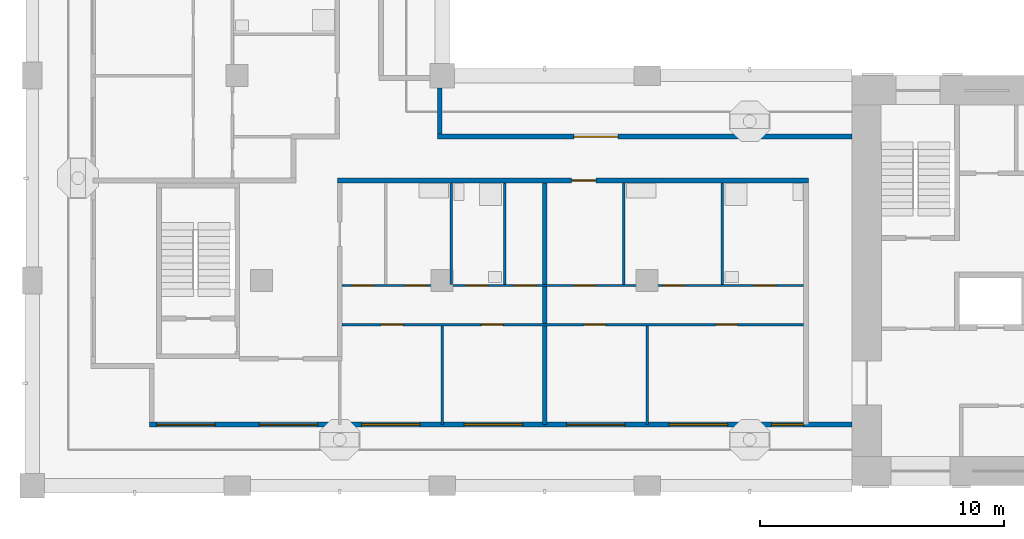
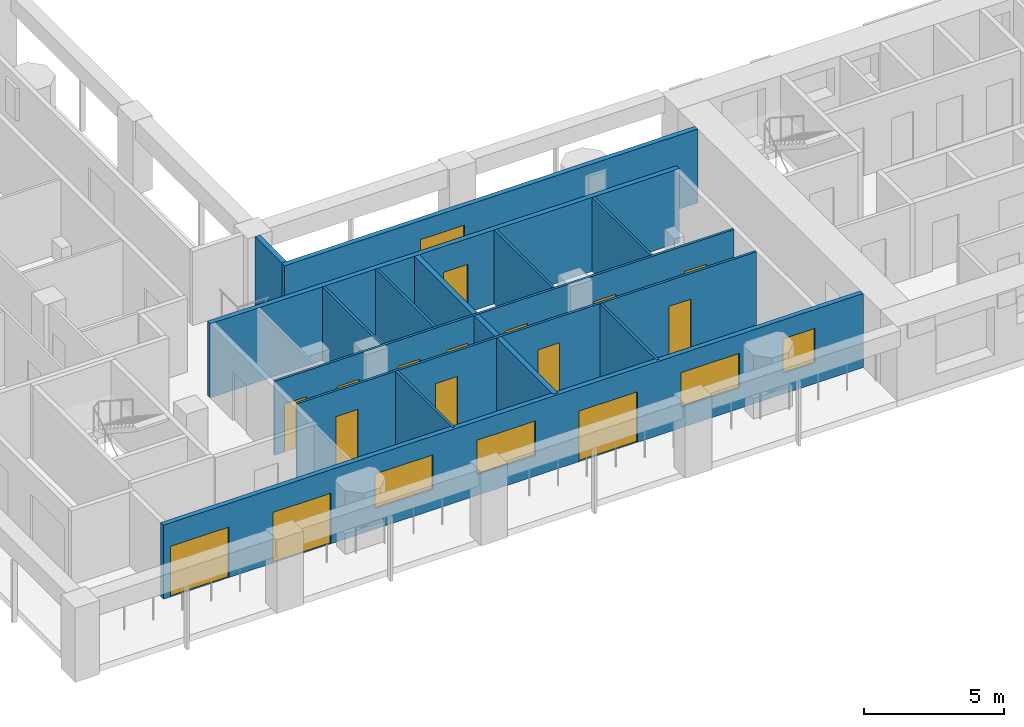
# One storey, part 2 of 11: 16 doors, 13 walls, 4 windows, 20 openings.
"""IFC4 building model written with IfcOpenShell, lengths in metres."""

from ifc_helpers import new_model, si_unit, direction, frame, frame_2d, origin, place, context, subcontext, project, spatial, rectangle, extrude, material, layer, layer_set, type_object, element, fill, save


model = new_model("IFC4")

# Units and contexts
model_context = context("Model", 3, precision=1e-05, world=origin(), true_north=direction((0.0, 1.0)))
body_context = subcontext(model_context, "Body", "Model", "MODEL_VIEW")
ifc_project = project(units=[si_unit("LENGTHUNIT", "METRE"), si_unit("AREAUNIT", "SQUARE_METRE"), si_unit("VOLUMEUNIT", "CUBIC_METRE"), si_unit("PLANEANGLEUNIT", "RADIAN"), si_unit("MASSUNIT", "GRAM", prefix="KILO")], contexts=[model_context])

# Site, building, storey
site_placement = place(None, origin())
site = spatial("IfcSite", under=ifc_project, at=site_placement, CompositionType="ELEMENT")
building_placement = place(site_placement, origin())
building = spatial("IfcBuilding", under=site, at=building_placement, Name="Vermilion Gate Residences", CompositionType="ELEMENT")
storey_placement = place(building_placement, frame((0.0, 0.0, 259.699951171875)))
storey = spatial("IfcBuildingStorey", under=building, at=storey_placement, Name="L68", CompositionType="ELEMENT", Elevation=259.699951171875)

# Wall, openings, doors, windows
ifc_material_1 = material(Name="Insulated steel stud wall with terracotta rainscreen", Category="masonry")
ifc_layer_1 = layer(ifc_material_1, 0.199951171875)
ifc_layer_set_1 = layer_set([ifc_layer_1], Name="EXTERNAL WALL 200 TERRACOTTA RAINSCREEN")
wall_type_1 = type_object("IfcWallType", Name="EXTERNAL WALL 200 TERRACOTTA RAINSCREEN", PredefinedType="SOLIDWALL", material=ifc_layer_set_1)
wall_1_placement = place(storey_placement, frame((13.199951171875, 10.89990234375, 0.0), z_axis=(0.0, 0.0, 1.0), x_axis=(1.0, 0.0, 0.0)))
wall_1 = element("IfcWall", 1, at=wall_1_placement, inside=storey, type_object=wall_type_1, Name="External wall", PredefinedType="SOLIDWALL", context=body_context, shape_type="SweptSolid", body=[
    extrude(rectangle(XDim=28.800048828125, YDim=0.199951171875, at=frame_2d((14.39990234375, 0.0))), origin(), (0.0, 0.0, 1.0), 3.219970703125),
])
opening_1_placement = place(wall_1_placement, frame((0.300048828125, 0.0, 0.0)))
opening_1 = element("IfcOpeningElement", 2, at=opening_1_placement, cuts=wall_1, Name="Opening DE68008", PredefinedType="OPENING", context=body_context, shape_type="SweptSolid", body=[
    extrude(rectangle(XDim=2.39990234375, YDim=2.199951171875, at=frame_2d((1.199951171875, 1.10009765625))), frame((0.0, 0.10986328125, 0.0), z_axis=(0.0, -1.0, 0.0), x_axis=(1.0, 0.0, 0.0)), (0.0, 0.0, 1.0), 0.219970703125),
])
opening_2_placement = place(wall_1_placement, frame((4.5, 0.0, 0.0)))
opening_2 = element("IfcOpeningElement", 3, at=opening_2_placement, cuts=wall_1, Name="Opening DE68009", PredefinedType="OPENING", context=body_context, shape_type="SweptSolid", body=[
    extrude(rectangle(XDim=2.39990234375, YDim=2.199951171875, at=frame_2d((1.199951171875, 1.10009765625))), frame((0.0, 0.10986328125, 0.0), z_axis=(0.0, -1.0, 0.0), x_axis=(1.0, 0.0, 0.0)), (0.0, 0.0, 1.0), 0.219970703125),
])
opening_3_placement = place(wall_1_placement, frame((8.699951171875, 0.0, 0.89990234375)))
opening_3 = element("IfcOpeningElement", 4, at=opening_3_placement, cuts=wall_1, Name="Opening WE68010", PredefinedType="OPENING", context=body_context, shape_type="SweptSolid", body=[
    extrude(rectangle(XDim=2.39990234375, YDim=1.5, at=frame_2d((1.199951171875, 0.75))), frame((0.0, 0.10986328125, 0.0), z_axis=(0.0, -1.0, 0.0), x_axis=(1.0, 0.0, 0.0)), (0.0, 0.0, 1.0), 0.219970703125),
])
opening_4_placement = place(wall_1_placement, frame((12.89990234375, 0.0, 0.89990234375)))
opening_4 = element("IfcOpeningElement", 5, at=opening_4_placement, cuts=wall_1, Name="Opening WE68011", PredefinedType="OPENING", context=body_context, shape_type="SweptSolid", body=[
    extrude(rectangle(XDim=2.39990234375, YDim=1.5, at=frame_2d((1.199951171875, 0.75))), frame((0.0, 0.10986328125, 0.0), z_axis=(0.0, -1.0, 0.0), x_axis=(1.0, 0.0, 0.0)), (0.0, 0.0, 1.0), 0.219970703125),
])
opening_5_placement = place(wall_1_placement, frame((17.10009765625, 0.0, 0.0)))
opening_5 = element("IfcOpeningElement", 6, at=opening_5_placement, cuts=wall_1, Name="Opening DE68012", PredefinedType="OPENING", context=body_context, shape_type="SweptSolid", body=[
    extrude(rectangle(XDim=2.39990234375, YDim=2.199951171875, at=frame_2d((1.199951171875, 1.10009765625))), frame((0.0, 0.10986328125, 0.0), z_axis=(0.0, -1.0, 0.0), x_axis=(1.0, 0.0, 0.0)), (0.0, 0.0, 1.0), 0.219970703125),
])
opening_6_placement = place(wall_1_placement, frame((21.300048828125, 0.0, 0.89990234375)))
opening_6 = element("IfcOpeningElement", 7, at=opening_6_placement, cuts=wall_1, Name="Opening WE68013", PredefinedType="OPENING", context=body_context, shape_type="SweptSolid", body=[
    extrude(rectangle(XDim=2.39990234375, YDim=1.5, at=frame_2d((1.199951171875, 0.75))), frame((0.0, 0.10986328125, 0.0), z_axis=(0.0, -1.0, 0.0), x_axis=(1.0, 0.0, 0.0)), (0.0, 0.0, 1.0), 0.219970703125),
])
opening_7_placement = place(wall_1_placement, frame((25.5, 0.0, 0.89990234375)))
opening_7 = element("IfcOpeningElement", 8, at=opening_7_placement, cuts=wall_1, Name="Opening WE68014", PredefinedType="OPENING", context=body_context, shape_type="SweptSolid", body=[
    extrude(rectangle(XDim=1.300048828125, YDim=1.5, at=frame_2d((0.64990234375, 0.75))), frame((0.0, 0.10986328125, 0.0), z_axis=(0.0, -1.0, 0.0), x_axis=(1.0, 0.0, 0.0)), (0.0, 0.0, 1.0), 0.219970703125),
])
ifc_material_2 = material(Name="Aluminium and clear glass", Category="aluminium")
door_type_1 = type_object("IfcDoorType", Name="SLIDING GLAZED DOOR 2400 X 2200", OperationType="DOUBLE_DOOR_SLIDING", PredefinedType="DOOR", material=ifc_material_2)
door_1_placement = place(opening_1_placement, origin())
door_1 = element("IfcDoor", 9, at=door_1_placement, inside=storey, type_object=door_type_1, Name="Loggia sliding door", OperationType="DOUBLE_DOOR_SLIDING", OverallHeight=2.199951171875, OverallWidth=2.39990234375, PredefinedType="DOOR", context=body_context, shape_type="SweptSolid", body=[
    extrude(rectangle(XDim=2.39990234375, YDim=2.199951171875, at=frame_2d((1.199951171875, 1.10009765625))), frame((0.0, 0.02490234375, 0.0), z_axis=(0.0, -1.0, 0.0), x_axis=(1.0, 0.0, 0.0)), (0.0, 0.0, 1.0), 0.050048828125),
])
fill(opening_1, door_1)
door_2_placement = place(opening_2_placement, origin())
door_2 = element("IfcDoor", 10, at=door_2_placement, inside=storey, type_object=door_type_1, Name="Loggia sliding door", OperationType="DOUBLE_DOOR_SLIDING", OverallHeight=2.199951171875, OverallWidth=2.39990234375, PredefinedType="DOOR", context=body_context, shape_type="SweptSolid", body=[
    extrude(rectangle(XDim=2.39990234375, YDim=2.199951171875, at=frame_2d((1.199951171875, 1.10009765625))), frame((0.0, 0.02490234375, 0.0), z_axis=(0.0, -1.0, 0.0), x_axis=(1.0, 0.0, 0.0)), (0.0, 0.0, 1.0), 0.050048828125),
])
fill(opening_2, door_2)
door_3_placement = place(opening_5_placement, origin())
door_3 = element("IfcDoor", 11, at=door_3_placement, inside=storey, type_object=door_type_1, Name="Loggia sliding door", OperationType="DOUBLE_DOOR_SLIDING", OverallHeight=2.199951171875, OverallWidth=2.39990234375, PredefinedType="DOOR", context=body_context, shape_type="SweptSolid", body=[
    extrude(rectangle(XDim=2.39990234375, YDim=2.199951171875, at=frame_2d((1.199951171875, 1.10009765625))), frame((0.0, 0.02490234375, 0.0), z_axis=(0.0, -1.0, 0.0), x_axis=(1.0, 0.0, 0.0)), (0.0, 0.0, 1.0), 0.050048828125),
])
fill(opening_5, door_3)
ifc_material_3 = material(Name="Aluminium and clear glass", Category="aluminium")
window_type_1 = type_object("IfcWindowType", Name="WINDOW 1300 X 1500", PartitioningType="SINGLE_PANEL", PredefinedType="WINDOW", material=ifc_material_3)
window_1_placement = place(opening_7_placement, origin())
window_1 = element("IfcWindow", 12, at=window_1_placement, inside=storey, type_object=window_type_1, Name="Window", OverallHeight=1.5, OverallWidth=1.300048828125, PartitioningType="SINGLE_PANEL", PredefinedType="WINDOW", context=body_context, shape_type="SweptSolid", body=[
    extrude(rectangle(XDim=1.300048828125, YDim=1.5, at=frame_2d((0.64990234375, 0.75))), frame((0.0, 0.030029296875, 0.0), z_axis=(0.0, -1.0, 0.0), x_axis=(1.0, 0.0, 0.0)), (0.0, 0.0, 1.0), 0.06005859375),
])
fill(opening_7, window_1)
ifc_material_4 = material(Name="Aluminium and clear glass", Category="aluminium")
window_type_2 = type_object("IfcWindowType", Name="WINDOW 2400 X 1500", PartitioningType="SINGLE_PANEL", PredefinedType="WINDOW", material=ifc_material_4)
window_2_placement = place(opening_3_placement, origin())
window_2 = element("IfcWindow", 13, at=window_2_placement, inside=storey, type_object=window_type_2, Name="Window", OverallHeight=1.5, OverallWidth=2.39990234375, PartitioningType="SINGLE_PANEL", PredefinedType="WINDOW", context=body_context, shape_type="SweptSolid", body=[
    extrude(rectangle(XDim=2.39990234375, YDim=1.5, at=frame_2d((1.199951171875, 0.75))), frame((0.0, 0.030029296875, 0.0), z_axis=(0.0, -1.0, 0.0), x_axis=(1.0, 0.0, 0.0)), (0.0, 0.0, 1.0), 0.06005859375),
])
fill(opening_3, window_2)
window_3_placement = place(opening_4_placement, origin())
window_3 = element("IfcWindow", 14, at=window_3_placement, inside=storey, type_object=window_type_2, Name="Window", OverallHeight=1.5, OverallWidth=2.39990234375, PartitioningType="SINGLE_PANEL", PredefinedType="WINDOW", context=body_context, shape_type="SweptSolid", body=[
    extrude(rectangle(XDim=2.39990234375, YDim=1.5, at=frame_2d((1.199951171875, 0.75))), frame((0.0, 0.030029296875, 0.0), z_axis=(0.0, -1.0, 0.0), x_axis=(1.0, 0.0, 0.0)), (0.0, 0.0, 1.0), 0.06005859375),
])
fill(opening_4, window_3)
window_4_placement = place(opening_6_placement, origin())
window_4 = element("IfcWindow", 15, at=window_4_placement, inside=storey, type_object=window_type_2, Name="Window", OverallHeight=1.5, OverallWidth=2.39990234375, PartitioningType="SINGLE_PANEL", PredefinedType="WINDOW", context=body_context, shape_type="SweptSolid", body=[
    extrude(rectangle(XDim=2.39990234375, YDim=1.5, at=frame_2d((1.199951171875, 0.75))), frame((0.0, 0.030029296875, 0.0), z_axis=(0.0, -1.0, 0.0), x_axis=(1.0, 0.0, 0.0)), (0.0, 0.0, 1.0), 0.06005859375),
])
fill(opening_6, window_4)

# Wall, opening, door
wall_2_placement = place(storey_placement, frame((42.0, 22.699951171875, 0.0), z_axis=(0.0, 0.0, 1.0), x_axis=(-1.0, 0.0, 0.0)))
wall_2 = element("IfcWall", 16, at=wall_2_placement, inside=storey, type_object=wall_type_1, Name="External wall", PredefinedType="SOLIDWALL", context=body_context, shape_type="SweptSolid", body=[
    extrude(rectangle(XDim=17.0, YDim=0.199951171875, at=frame_2d((8.5, 0.0))), origin(), (0.0, 0.0, 1.0), 3.219970703125),
])
opening_8_placement = place(wall_2_placement, frame((9.60009765625, 0.0, 0.0)))
opening_8 = element("IfcOpeningElement", 17, at=opening_8_placement, cuts=wall_2, Name="Opening DE68015", PredefinedType="OPENING", context=body_context, shape_type="SweptSolid", body=[
    extrude(rectangle(XDim=1.800048828125, YDim=2.39990234375, at=frame_2d((0.89990234375, 1.199951171875))), frame((0.0, 0.10986328125, 0.0), z_axis=(0.0, -1.0, 0.0), x_axis=(1.0, 0.0, 0.0)), (0.0, 0.0, 1.0), 0.219970703125),
])
ifc_material_5 = material(Name="Aluminium and clear glass", Category="aluminium")
door_type_2 = type_object("IfcDoorType", Name="GLAZED EXTERNAL DOOR 1800 X 2400", OperationType="DOUBLE_DOOR_SINGLE_SWING", PredefinedType="DOOR", material=ifc_material_5)
door_4_placement = place(opening_8_placement, frame((1.800048828125, 0.0, 0.0), z_axis=(0.0, 0.0, 1.0), x_axis=(-1.0, 0.0, 0.0)))
door_4 = element("IfcDoor", 18, at=door_4_placement, inside=storey, type_object=door_type_2, Name="Gallery door", OperationType="DOUBLE_DOOR_SINGLE_SWING", OverallHeight=2.39990234375, OverallWidth=1.800048828125, PredefinedType="DOOR", context=body_context, shape_type="SweptSolid", body=[
    extrude(rectangle(XDim=1.800048828125, YDim=2.39990234375, at=frame_2d((0.89990234375, 1.199951171875))), frame((0.0, 0.02490234375, 0.0), z_axis=(0.0, -1.0, 0.0), x_axis=(1.0, 0.0, 0.0)), (0.0, 0.0, 1.0), 0.050048828125),
])
fill(opening_8, door_4)

# Wall
wall_3_placement = place(storey_placement, frame((25.10009765625, 22.800048828125, 0.0), z_axis=(0.0, 0.0, 1.0), x_axis=(0.0, 1.0, 0.0)))
element("IfcWall", 19, at=wall_3_placement, inside=storey, type_object=wall_type_1, Name="External wall", PredefinedType="SOLIDWALL", context=body_context, shape_type="SweptSolid", body=[
    extrude(rectangle(XDim=1.89990234375, YDim=0.199951171875, at=frame_2d((0.949951171875, 0.0))), origin(), (0.0, 0.0, 1.0), 3.219970703125),
])

# Wall, openings, doors
ifc_material_6 = material(Name="Plasterboard on steel studs", Category="steel")
ifc_layer_2 = layer(ifc_material_6, 0.10009765625)
ifc_layer_set_2 = layer_set([ifc_layer_2], Name="PARTITION 100")
wall_type_2 = type_object("IfcWallType", Name="PARTITION 100", PredefinedType="PARTITIONING", material=ifc_layer_set_2)
wall_4_placement = place(storey_placement, frame((21.10009765625, 15.0, 0.0), z_axis=(0.0, 0.0, 1.0), x_axis=(1.0, 0.0, 0.0)))
wall_4 = element("IfcWall", 20, at=wall_4_placement, inside=storey, type_object=wall_type_2, Name="Partition", PredefinedType="PARTITIONING", context=body_context, shape_type="SweptSolid", body=[
    extrude(rectangle(XDim=18.89990234375, YDim=0.10009765625, at=frame_2d((9.449951171875, 0.0))), origin(), (0.0, 0.0, 1.0), 3.219970703125),
])
opening_9_placement = place(wall_4_placement, frame((1.60009765625, 0.0, 0.0)))
opening_9 = element("IfcOpeningElement", 21, at=opening_9_placement, cuts=wall_4, Name="Opening DA67002", PredefinedType="OPENING", context=body_context, shape_type="SweptSolid", body=[
    extrude(rectangle(XDim=0.89990234375, YDim=2.10009765625, at=frame_2d((0.449951171875, 1.050048828125))), frame((0.0, 0.06005859375, 0.0), z_axis=(0.0, -1.0, 0.0), x_axis=(1.0, 0.0, 0.0)), (0.0, 0.0, 1.0), 0.1201171875),
])
opening_10_placement = place(wall_4_placement, frame((5.699951171875, 0.0, 0.0)))
opening_10 = element("IfcOpeningElement", 22, at=opening_10_placement, cuts=wall_4, Name="Opening DA67003", PredefinedType="OPENING", context=body_context, shape_type="SweptSolid", body=[
    extrude(rectangle(XDim=0.89990234375, YDim=2.10009765625, at=frame_2d((0.449951171875, 1.050048828125))), frame((0.0, 0.06005859375, 0.0), z_axis=(0.0, -1.0, 0.0), x_axis=(1.0, 0.0, 0.0)), (0.0, 0.0, 1.0), 0.1201171875),
])
opening_11_placement = place(wall_4_placement, frame((9.89990234375, 0.0, 0.0)))
opening_11 = element("IfcOpeningElement", 23, at=opening_11_placement, cuts=wall_4, Name="Opening DA67004", PredefinedType="OPENING", context=body_context, shape_type="SweptSolid", body=[
    extrude(rectangle(XDim=0.89990234375, YDim=2.10009765625, at=frame_2d((0.449951171875, 1.050048828125))), frame((0.0, 0.06005859375, 0.0), z_axis=(0.0, -1.0, 0.0), x_axis=(1.0, 0.0, 0.0)), (0.0, 0.0, 1.0), 0.1201171875),
])
opening_12_placement = place(wall_4_placement, frame((15.300048828125, 0.0, 0.0)))
opening_12 = element("IfcOpeningElement", 24, at=opening_12_placement, cuts=wall_4, Name="Opening DA67005", PredefinedType="OPENING", context=body_context, shape_type="SweptSolid", body=[
    extrude(rectangle(XDim=0.89990234375, YDim=2.10009765625, at=frame_2d((0.449951171875, 1.050048828125))), frame((0.0, 0.06005859375, 0.0), z_axis=(0.0, -1.0, 0.0), x_axis=(1.0, 0.0, 0.0)), (0.0, 0.0, 1.0), 0.1201171875),
])
ifc_material_7 = material(Name="Timber", Category="wood")
door_type_3 = type_object("IfcDoorType", Name="INTERIOR DOOR 900 X 2100", OperationType="SINGLE_SWING_LEFT", PredefinedType="DOOR", material=ifc_material_7)
door_5_placement = place(opening_9_placement, frame((0.89990234375, 0.0, 0.0), z_axis=(0.0, 0.0, 1.0), x_axis=(-1.0, 0.0, 0.0)))
door_5 = element("IfcDoor", 25, at=door_5_placement, inside=storey, type_object=door_type_3, Name="Interior door", OperationType="SINGLE_SWING_LEFT", OverallHeight=2.10009765625, OverallWidth=0.89990234375, PredefinedType="DOOR", context=body_context, shape_type="SweptSolid", body=[
    extrude(rectangle(XDim=0.89990234375, YDim=2.10009765625, at=frame_2d((0.449951171875, 1.050048828125))), frame((0.0, 0.02490234375, 0.0), z_axis=(0.0, -1.0, 0.0), x_axis=(1.0, 0.0, 0.0)), (0.0, 0.0, 1.0), 0.050048828125),
])
fill(opening_9, door_5)
door_6_placement = place(opening_10_placement, frame((0.89990234375, 0.0, 0.0), z_axis=(0.0, 0.0, 1.0), x_axis=(-1.0, 0.0, 0.0)))
door_6 = element("IfcDoor", 26, at=door_6_placement, inside=storey, type_object=door_type_3, Name="Interior door", OperationType="SINGLE_SWING_RIGHT", OverallHeight=2.10009765625, OverallWidth=0.89990234375, PredefinedType="DOOR", context=body_context, shape_type="SweptSolid", body=[
    extrude(rectangle(XDim=0.89990234375, YDim=2.10009765625, at=frame_2d((0.449951171875, 1.050048828125))), frame((0.0, 0.02490234375, 0.0), z_axis=(0.0, -1.0, 0.0), x_axis=(1.0, 0.0, 0.0)), (0.0, 0.0, 1.0), 0.050048828125),
])
fill(opening_10, door_6)
door_7_placement = place(opening_11_placement, frame((0.89990234375, 0.0, 0.0), z_axis=(0.0, 0.0, 1.0), x_axis=(-1.0, 0.0, 0.0)))
door_7 = element("IfcDoor", 27, at=door_7_placement, inside=storey, type_object=door_type_3, Name="Interior door", OperationType="SINGLE_SWING_RIGHT", OverallHeight=2.10009765625, OverallWidth=0.89990234375, PredefinedType="DOOR", context=body_context, shape_type="SweptSolid", body=[
    extrude(rectangle(XDim=0.89990234375, YDim=2.10009765625, at=frame_2d((0.449951171875, 1.050048828125))), frame((0.0, 0.02490234375, 0.0), z_axis=(0.0, -1.0, 0.0), x_axis=(1.0, 0.0, 0.0)), (0.0, 0.0, 1.0), 0.050048828125),
])
fill(opening_11, door_7)
door_8_placement = place(opening_12_placement, frame((0.89990234375, 0.0, 0.0), z_axis=(0.0, 0.0, 1.0), x_axis=(-1.0, 0.0, 0.0)))
door_8 = element("IfcDoor", 28, at=door_8_placement, inside=storey, type_object=door_type_3, Name="Interior door", OperationType="SINGLE_SWING_LEFT", OverallHeight=2.10009765625, OverallWidth=0.89990234375, PredefinedType="DOOR", context=body_context, shape_type="SweptSolid", body=[
    extrude(rectangle(XDim=0.89990234375, YDim=2.10009765625, at=frame_2d((0.449951171875, 1.050048828125))), frame((0.0, 0.02490234375, 0.0), z_axis=(0.0, -1.0, 0.0), x_axis=(1.0, 0.0, 0.0)), (0.0, 0.0, 1.0), 0.050048828125),
])
fill(opening_12, door_8)

wall_5_placement = place(storey_placement, frame((21.10009765625, 16.60009765625, 0.0), z_axis=(0.0, 0.0, 1.0), x_axis=(1.0, 0.0, 0.0)))
wall_5 = element("IfcWall", 29, at=wall_5_placement, inside=storey, type_object=wall_type_2, Name="Partition", PredefinedType="PARTITIONING", context=body_context, shape_type="SweptSolid", body=[
    extrude(rectangle(XDim=18.89990234375, YDim=0.10009765625, at=frame_2d((9.449951171875, 0.0))), origin(), (0.0, 0.0, 1.0), 3.219970703125),
])
opening_13_placement = place(wall_5_placement, frame((0.39990234375, 0.0, 0.0)))
opening_13 = element("IfcOpeningElement", 30, at=opening_13_placement, cuts=wall_5, Name="Opening DA67006", PredefinedType="OPENING", context=body_context, shape_type="SweptSolid", body=[
    extrude(rectangle(XDim=0.89990234375, YDim=2.10009765625, at=frame_2d((0.449951171875, 1.050048828125))), frame((0.0, 0.06005859375, 0.0), z_axis=(0.0, -1.0, 0.0), x_axis=(1.0, 0.0, 0.0)), (0.0, 0.0, 1.0), 0.1201171875),
])
opening_14_placement = place(wall_5_placement, frame((2.583984375, 0.0, 0.0)))
opening_14 = element("IfcOpeningElement", 31, at=opening_14_placement, cuts=wall_5, Name="Opening DA67007", PredefinedType="OPENING", context=body_context, shape_type="SweptSolid", body=[
    extrude(rectangle(XDim=0.89990234375, YDim=2.10009765625, at=frame_2d((0.449951171875, 1.050048828125))), frame((0.0, 0.06005859375, 0.0), z_axis=(0.0, -1.0, 0.0), x_axis=(1.0, 0.0, 0.0)), (0.0, 0.0, 1.0), 0.1201171875),
])
opening_15_placement = place(wall_5_placement, frame((5.068115234375, 0.0, 0.0)))
opening_15 = element("IfcOpeningElement", 32, at=opening_15_placement, cuts=wall_5, Name="Opening DA67008", PredefinedType="OPENING", context=body_context, shape_type="SweptSolid", body=[
    extrude(rectangle(XDim=0.89990234375, YDim=2.10009765625, at=frame_2d((0.449951171875, 1.050048828125))), frame((0.0, 0.06005859375, 0.0), z_axis=(0.0, -1.0, 0.0), x_axis=(1.0, 0.0, 0.0)), (0.0, 0.0, 1.0), 0.1201171875),
])
opening_16_placement = place(wall_5_placement, frame((7.05810546875, 0.0, 0.0)))
opening_16 = element("IfcOpeningElement", 33, at=opening_16_placement, cuts=wall_5, Name="Opening DA67009", PredefinedType="OPENING", context=body_context, shape_type="SweptSolid", body=[
    extrude(rectangle(XDim=0.89990234375, YDim=2.10009765625, at=frame_2d((0.449951171875, 1.050048828125))), frame((0.0, 0.06005859375, 0.0), z_axis=(0.0, -1.0, 0.0), x_axis=(1.0, 0.0, 0.0)), (0.0, 0.0, 1.0), 0.1201171875),
])
opening_17_placement = place(wall_5_placement, frame((9.5, 0.0, 0.0)))
opening_17 = element("IfcOpeningElement", 34, at=opening_17_placement, cuts=wall_5, Name="Opening DA67010", PredefinedType="OPENING", context=body_context, shape_type="SweptSolid", body=[
    extrude(rectangle(XDim=0.89990234375, YDim=2.10009765625, at=frame_2d((0.449951171875, 1.050048828125))), frame((0.0, 0.06005859375, 0.0), z_axis=(0.0, -1.0, 0.0), x_axis=(1.0, 0.0, 0.0)), (0.0, 0.0, 1.0), 0.1201171875),
])
opening_18_placement = place(wall_5_placement, frame((13.133056640625, 0.0, 0.0)))
opening_18 = element("IfcOpeningElement", 35, at=opening_18_placement, cuts=wall_5, Name="Opening DA67011", PredefinedType="OPENING", context=body_context, shape_type="SweptSolid", body=[
    extrude(rectangle(XDim=0.89990234375, YDim=2.10009765625, at=frame_2d((0.449951171875, 1.050048828125))), frame((0.0, 0.06005859375, 0.0), z_axis=(0.0, -1.0, 0.0), x_axis=(1.0, 0.0, 0.0)), (0.0, 0.0, 1.0), 0.1201171875),
])
opening_19_placement = place(wall_5_placement, frame((16.866943359375, 0.0, 0.0)))
opening_19 = element("IfcOpeningElement", 36, at=opening_19_placement, cuts=wall_5, Name="Opening DA67012", PredefinedType="OPENING", context=body_context, shape_type="SweptSolid", body=[
    extrude(rectangle(XDim=0.89990234375, YDim=2.10009765625, at=frame_2d((0.449951171875, 1.050048828125))), frame((0.0, 0.06005859375, 0.0), z_axis=(0.0, -1.0, 0.0), x_axis=(1.0, 0.0, 0.0)), (0.0, 0.0, 1.0), 0.1201171875),
])
door_9_placement = place(opening_13_placement, origin())
door_9 = element("IfcDoor", 37, at=door_9_placement, inside=storey, type_object=door_type_3, Name="Interior door", OperationType="SINGLE_SWING_LEFT", OverallHeight=2.10009765625, OverallWidth=0.89990234375, PredefinedType="DOOR", context=body_context, shape_type="SweptSolid", body=[
    extrude(rectangle(XDim=0.89990234375, YDim=2.10009765625, at=frame_2d((0.449951171875, 1.050048828125))), frame((0.0, 0.02490234375, 0.0), z_axis=(0.0, -1.0, 0.0), x_axis=(1.0, 0.0, 0.0)), (0.0, 0.0, 1.0), 0.050048828125),
])
fill(opening_13, door_9)
door_10_placement = place(opening_14_placement, origin())
door_10 = element("IfcDoor", 38, at=door_10_placement, inside=storey, type_object=door_type_3, Name="Interior door", OperationType="SINGLE_SWING_RIGHT", OverallHeight=2.10009765625, OverallWidth=0.89990234375, PredefinedType="DOOR", context=body_context, shape_type="SweptSolid", body=[
    extrude(rectangle(XDim=0.89990234375, YDim=2.10009765625, at=frame_2d((0.449951171875, 1.050048828125))), frame((0.0, 0.02490234375, 0.0), z_axis=(0.0, -1.0, 0.0), x_axis=(1.0, 0.0, 0.0)), (0.0, 0.0, 1.0), 0.050048828125),
])
fill(opening_14, door_10)
door_11_placement = place(opening_15_placement, origin())
door_11 = element("IfcDoor", 39, at=door_11_placement, inside=storey, type_object=door_type_3, Name="Interior door", OperationType="SINGLE_SWING_RIGHT", OverallHeight=2.10009765625, OverallWidth=0.89990234375, PredefinedType="DOOR", context=body_context, shape_type="SweptSolid", body=[
    extrude(rectangle(XDim=0.89990234375, YDim=2.10009765625, at=frame_2d((0.449951171875, 1.050048828125))), frame((0.0, 0.02490234375, 0.0), z_axis=(0.0, -1.0, 0.0), x_axis=(1.0, 0.0, 0.0)), (0.0, 0.0, 1.0), 0.050048828125),
])
fill(opening_15, door_11)
door_12_placement = place(opening_16_placement, origin())
door_12 = element("IfcDoor", 40, at=door_12_placement, inside=storey, type_object=door_type_3, Name="Interior door", OperationType="SINGLE_SWING_RIGHT", OverallHeight=2.10009765625, OverallWidth=0.89990234375, PredefinedType="DOOR", context=body_context, shape_type="SweptSolid", body=[
    extrude(rectangle(XDim=0.89990234375, YDim=2.10009765625, at=frame_2d((0.449951171875, 1.050048828125))), frame((0.0, 0.02490234375, 0.0), z_axis=(0.0, -1.0, 0.0), x_axis=(1.0, 0.0, 0.0)), (0.0, 0.0, 1.0), 0.050048828125),
])
fill(opening_16, door_12)
door_13_placement = place(opening_17_placement, origin())
door_13 = element("IfcDoor", 41, at=door_13_placement, inside=storey, type_object=door_type_3, Name="Interior door", OperationType="SINGLE_SWING_RIGHT", OverallHeight=2.10009765625, OverallWidth=0.89990234375, PredefinedType="DOOR", context=body_context, shape_type="SweptSolid", body=[
    extrude(rectangle(XDim=0.89990234375, YDim=2.10009765625, at=frame_2d((0.449951171875, 1.050048828125))), frame((0.0, 0.02490234375, 0.0), z_axis=(0.0, -1.0, 0.0), x_axis=(1.0, 0.0, 0.0)), (0.0, 0.0, 1.0), 0.050048828125),
])
fill(opening_17, door_13)
door_14_placement = place(opening_18_placement, origin())
door_14 = element("IfcDoor", 42, at=door_14_placement, inside=storey, type_object=door_type_3, Name="Interior door", OperationType="SINGLE_SWING_LEFT", OverallHeight=2.10009765625, OverallWidth=0.89990234375, PredefinedType="DOOR", context=body_context, shape_type="SweptSolid", body=[
    extrude(rectangle(XDim=0.89990234375, YDim=2.10009765625, at=frame_2d((0.449951171875, 1.050048828125))), frame((0.0, 0.02490234375, 0.0), z_axis=(0.0, -1.0, 0.0), x_axis=(1.0, 0.0, 0.0)), (0.0, 0.0, 1.0), 0.050048828125),
])
fill(opening_18, door_14)
door_15_placement = place(opening_19_placement, origin())
door_15 = element("IfcDoor", 43, at=door_15_placement, inside=storey, type_object=door_type_3, Name="Interior door", OperationType="SINGLE_SWING_LEFT", OverallHeight=2.10009765625, OverallWidth=0.89990234375, PredefinedType="DOOR", context=body_context, shape_type="SweptSolid", body=[
    extrude(rectangle(XDim=0.89990234375, YDim=2.10009765625, at=frame_2d((0.449951171875, 1.050048828125))), frame((0.0, 0.02490234375, 0.0), z_axis=(0.0, -1.0, 0.0), x_axis=(1.0, 0.0, 0.0)), (0.0, 0.0, 1.0), 0.050048828125),
])
fill(opening_19, door_15)

# Walls
wall_6_placement = place(storey_placement, frame((25.199951171875, 10.89990234375, 0.0), z_axis=(0.0, 0.0, 1.0), x_axis=(0.0, 1.0, 0.0)))
element("IfcWall", 44, at=wall_6_placement, inside=storey, type_object=wall_type_2, Name="Partition", PredefinedType="PARTITIONING", context=body_context, shape_type="SweptSolid", body=[
    extrude(rectangle(XDim=4.050048828125, YDim=0.10009765625, at=frame_2d((2.02490234375, 0.0))), origin(), (0.0, 0.0, 1.0), 3.219970703125),
])
for number, where, z_axis, x_axis, name in (
    (45, (25.568115234375, 16.64990234375, 0.0), (0.0, 0.0, 1.0), (0.0, 1.0, 0.0), "Partition"),
    (46, (27.758056640625, 16.64990234375, 0.0), (0.0, 0.0, 1.0), (0.0, 1.0, 0.0), "Partition"),
    (47, (32.633056640625, 16.64990234375, 0.0), (0.0, 0.0, 1.0), (0.0, 1.0, 0.0), "Partition"),
):
    element("IfcWall", number, at=place(storey_placement, frame(where, z_axis=z_axis, x_axis=x_axis)), inside=storey, type_object=wall_type_2, Name=name, PredefinedType="PARTITIONING", context=body_context, shape_type="SweptSolid", body=[
        extrude(rectangle(XDim=4.150146484375, YDim=0.10009765625, at=frame_2d((2.0751953125, 0.0))), origin(), (0.0, 0.0, 1.0), 3.219970703125),
    ])
wall_7_placement = place(storey_placement, frame((33.60009765625, 10.89990234375, 0.0), z_axis=(0.0, 0.0, 1.0), x_axis=(0.0, 1.0, 0.0)))
element("IfcWall", 48, at=wall_7_placement, inside=storey, type_object=wall_type_2, Name="Partition", PredefinedType="PARTITIONING", context=body_context, shape_type="SweptSolid", body=[
    extrude(rectangle(XDim=4.050048828125, YDim=0.10009765625, at=frame_2d((2.02490234375, 0.0))), origin(), (0.0, 0.0, 1.0), 3.219970703125),
])
wall_8_placement = place(storey_placement, frame((36.6669921875, 16.64990234375, 0.0), z_axis=(0.0, 0.0, 1.0), x_axis=(0.0, 1.0, 0.0)))
element("IfcWall", 49, at=wall_8_placement, inside=storey, type_object=wall_type_2, Name="Partition", PredefinedType="PARTITIONING", context=body_context, shape_type="SweptSolid", body=[
    extrude(rectangle(XDim=4.150146484375, YDim=0.10009765625, at=frame_2d((2.0751953125, 0.0))), origin(), (0.0, 0.0, 1.0), 3.219970703125),
])

# Wall, opening, door
ifc_material_8 = material(Name="Fire-rated plasterboard on steel studs", Category="steel")
ifc_layer_3 = layer(ifc_material_8, 0.199951171875)
ifc_layer_set_3 = layer_set([ifc_layer_3], Name="PARTY WALL 200 EI 120")
wall_type_3 = type_object("IfcWallType", Name="PARTY WALL 200 EI 120", PredefinedType="PARTITIONING", material=ifc_layer_set_3)
wall_9_placement = place(storey_placement, frame((20.89990234375, 20.89990234375, 0.0), z_axis=(0.0, 0.0, 1.0), x_axis=(1.0, 0.0, 0.0)))
wall_9 = element("IfcWall", 50, at=wall_9_placement, inside=storey, type_object=wall_type_3, Name="Party and corridor wall", PredefinedType="PARTITIONING", context=body_context, shape_type="SweptSolid", body=[
    extrude(rectangle(XDim=19.300048828125, YDim=0.199951171875, at=frame_2d((9.64990234375, 0.0))), origin(), (0.0, 0.0, 1.0), 3.219970703125),
])
opening_20_placement = place(wall_9_placement, frame((9.60009765625, 0.0, 0.0)))
opening_20 = element("IfcOpeningElement", 51, at=opening_20_placement, cuts=wall_9, Name="Opening DA67013", PredefinedType="OPENING", context=body_context, shape_type="SweptSolid", body=[
    extrude(rectangle(XDim=1.0, YDim=2.10009765625, at=frame_2d((0.5, 1.050048828125))), frame((0.0, 0.10986328125, 0.0), z_axis=(0.0, -1.0, 0.0), x_axis=(1.0, 0.0, 0.0)), (0.0, 0.0, 1.0), 0.219970703125),
])
ifc_material_9 = material(Name="Steel", Category="steel")
door_type_4 = type_object("IfcDoorType", Name="ENTRANCE DOOR 1000 X 2100 FD30", OperationType="SINGLE_SWING_LEFT", PredefinedType="DOOR", material=ifc_material_9)
door_16_placement = place(opening_20_placement, frame((1.0, 0.0, 0.0), z_axis=(0.0, 0.0, 1.0), x_axis=(-1.0, 0.0, 0.0)))
door_16 = element("IfcDoor", 52, at=door_16_placement, inside=storey, type_object=door_type_4, Name="Entrance door", OperationType="SINGLE_SWING_RIGHT", OverallHeight=2.10009765625, OverallWidth=1.0, PredefinedType="DOOR", context=body_context, shape_type="SweptSolid", body=[
    extrude(rectangle(XDim=1.0, YDim=2.10009765625, at=frame_2d((0.5, 1.050048828125))), frame((0.0, 0.02490234375, 0.0), z_axis=(0.0, -1.0, 0.0), x_axis=(1.0, 0.0, 0.0)), (0.0, 0.0, 1.0), 0.050048828125),
])
fill(opening_20, door_16)

# Wall
wall_10_placement = place(storey_placement, frame((29.39990234375, 10.89990234375, 0.0), z_axis=(0.0, 0.0, 1.0), x_axis=(0.0, 1.0, 0.0)))
element("IfcWall", 53, at=wall_10_placement, inside=storey, type_object=wall_type_3, Name="Party and corridor wall", PredefinedType="PARTITIONING", context=body_context, shape_type="SweptSolid", body=[
    extrude(rectangle(XDim=9.900146484375, YDim=0.199951171875, at=frame_2d((4.9501953125, 0.0))), origin(), (0.0, 0.0, 1.0), 3.219970703125),
])

save(model, "model.ifc")
